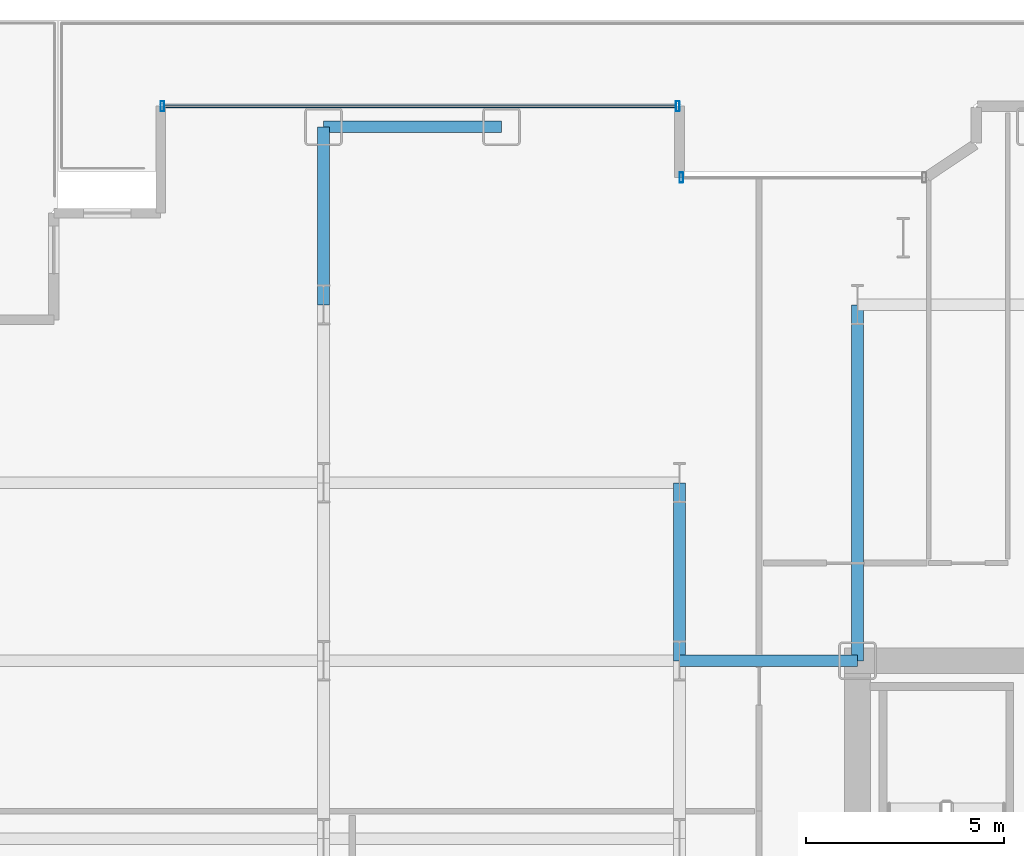
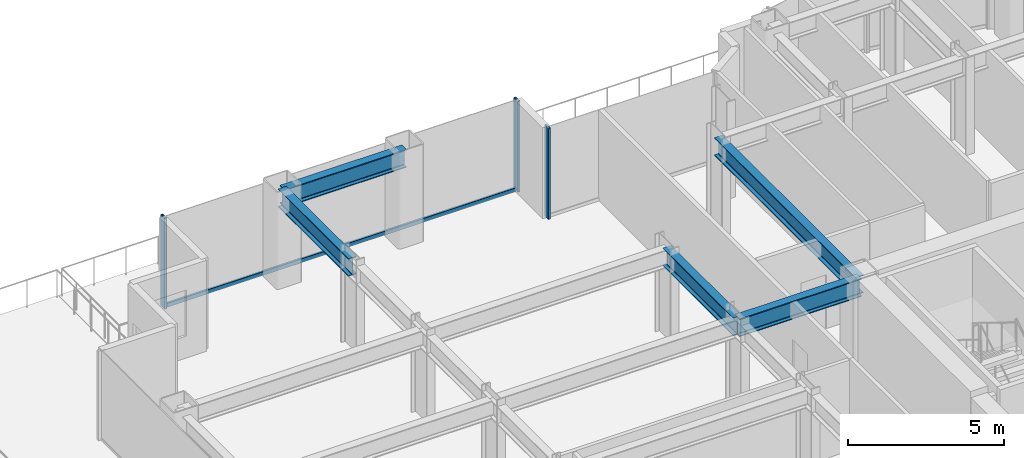
# One storey, part 12 of 30: 5 beams, 4 members, 2 elements without a shape of their own.
"""IFC4 building model written with IfcOpenShell, lengths in metres."""

from ifc_helpers import new_model, si_unit, direction, frame, origin, origin_2d, place, context, subcontext, project, spatial, hollow_rectangle, i_section, extrude, source, transform, mapped, material, layer, layer_set, material_profile, profile_set, type_object, element, aggregate, save


model = new_model("IFC4")

# Units and contexts
model_context = context("Model", 3, precision=1e-05, world=origin(), true_north=direction((0.0, 1.0)))
body_context = subcontext(model_context, "Body", "Model", "MODEL_VIEW")
ifc_project = project(units=[si_unit("LENGTHUNIT", "METRE"), si_unit("AREAUNIT", "SQUARE_METRE"), si_unit("VOLUMEUNIT", "CUBIC_METRE"), si_unit("PLANEANGLEUNIT", "RADIAN"), si_unit("MASSUNIT", "GRAM", prefix="KILO")], contexts=[model_context])

# Site, building, storey
site_placement = place(None, origin())
site = spatial("IfcSite", under=ifc_project, at=site_placement, CompositionType="ELEMENT")
building_placement = place(site_placement, origin())
building = spatial("IfcBuilding", under=site, at=building_placement, Name="Nefas-Gora Pilgrimage Tower", CompositionType="ELEMENT")
storey_placement = place(building_placement, frame((0.0, 0.0, 33.0)))
storey = spatial("IfcBuildingStorey", under=building, at=storey_placement, Name="L06", CompositionType="ELEMENT", Elevation=33.0)

# Beams
ifc_material_1 = material(Name="Steel S355", Category="steel")
ifc_material_profile_1 = material_profile(ifc_material_1, i_section(OverallWidth=0.300048828125, OverallDepth=0.699951171875, WebThickness=0.01708984375, FlangeThickness=0.031982421875, FilletRadius=0.027099609375, at=origin_2d()), Name="HEB 700")
ifc_profile_set_1 = profile_set([ifc_material_profile_1], Name="Steel S355")
beam_type_1 = type_object("IfcBeamType", Name="BM-SPN-HEB600", PredefinedType="SPANDREL", material=ifc_profile_set_1)
shared_shape_1 = source(origin(), body_context, "Body", "SweptSolid", [
    extrude(i_section(OverallWidth=0.300048828125, OverallDepth=0.699951171875, WebThickness=0.01708984375, FlangeThickness=0.031982421875, FilletRadius=0.027099609375, at=origin_2d()), origin(), (0.0, 0.0, 1.0), 4.5),
])
beam_1_placement = place(storey_placement, frame((-24.75, 22.5, 3.199951171875), z_axis=(1.0, 0.0, 0.0), x_axis=(0.0, 1.0, 0.0)))
element("IfcBeam", 1, at=beam_1_placement, inside=storey, type_object=beam_type_1, Name="L06 SP-01 beam", PredefinedType="SPANDREL", context=body_context, shape_type="MappedRepresentation", body=[
    mapped(shared_shape_1, transform((0.0, 0.0, 0.0), x_axis=(1.0, 0.0, 0.0), y_axis=(0.0, 1.0, 0.0), z_axis=(0.0, 0.0, 1.0), scale=1.0)),
])
ifc_material_profile_2 = material_profile(ifc_material_1, i_section(OverallWidth=0.300048828125, OverallDepth=0.699951171875, WebThickness=0.01708984375, FlangeThickness=0.031982421875, FilletRadius=0.027099609375, at=origin_2d()), Name="HEB 700")
ifc_profile_set_2 = profile_set([ifc_material_profile_2], Name="Steel S355")
beam_type_2 = type_object("IfcBeamType", Name="BM-GIR-HEB700", PredefinedType="BEAM", material=ifc_profile_set_2)
shared_shape_2 = source(origin(), body_context, "Body", "SweptSolid", [
    extrude(i_section(OverallWidth=0.300048828125, OverallDepth=0.699951171875, WebThickness=0.01708984375, FlangeThickness=0.031982421875, FilletRadius=0.027099609375, at=origin_2d()), origin(), (0.0, 0.0, 1.0), 9.0),
])
beam_2_placement = place(storey_placement, frame((-11.25, 9.0, 3.199951171875), z_axis=(0.0, 1.0, 0.0), x_axis=(-1.0, 0.0, 0.0)))
element("IfcBeam", 2, at=beam_2_placement, inside=storey, type_object=beam_type_2, Name="L06 G-02 beam", PredefinedType="BEAM", context=body_context, shape_type="MappedRepresentation", body=[
    mapped(shared_shape_2, transform((0.0, 0.0, 0.0), x_axis=(1.0, 0.0, 0.0), y_axis=(0.0, 1.0, 0.0), z_axis=(0.0, 0.0, 1.0), scale=1.0)),
])
shared_shape_3 = source(origin(), body_context, "Body", "SweptSolid", [
    extrude(i_section(OverallWidth=0.300048828125, OverallDepth=0.699951171875, WebThickness=0.01708984375, FlangeThickness=0.031982421875, FilletRadius=0.027099609375, at=origin_2d()), origin(), (0.0, 0.0, 1.0), 4.5),
])
for number, where, z_axis, x_axis, name in (
    (3, (-24.75, 18.0, 3.199951171875), (0.0, 1.0, 0.0), (-1.0, 0.0, 0.0), "L06 G-02 beam"),
    (4, (-15.75, 9.0, 3.199951171875), (0.0, 1.0, 0.0), (-1.0, 0.0, 0.0), "L06 G-02 beam"),
    (5, (-15.75, 9.0, 3.199951171875), (1.0, 0.0, 0.0), (0.0, 1.0, 0.0), "L06 G-02 beam"),
):
    element("IfcBeam", number, at=place(storey_placement, frame(where, z_axis=z_axis, x_axis=x_axis)), inside=storey, type_object=beam_type_2, Name=name, PredefinedType="BEAM", context=body_context, shape_type="MappedRepresentation", body=[
        mapped(shared_shape_3, transform((0.0, 0.0, 0.0), x_axis=(1.0, 0.0, 0.0), y_axis=(0.0, 1.0, 0.0), z_axis=(0.0, 0.0, 1.0), scale=1.0)),
    ])

# Curtain wall, member
ifc_material_2 = material(Name="Dark ceramic-fritted solar-control aluminium-glass curtain wall", Category="aluminium")
ifc_layer_1 = layer(ifc_material_2, 0.219970703125)
ifc_layer_set_1 = layer_set([ifc_layer_1], Name="Dark ceramic-fritted solar-control aluminium-glass curtain wall")
curtain_wall_type_1 = type_object("IfcCurtainWallType", Name="CW-SYS-5", PredefinedType="NOTDEFINED", material=ifc_layer_set_1)
curtain_wall_1_placement = place(storey_placement, origin())
curtain_wall_1 = element("IfcCurtainWall", 6, at=curtain_wall_1_placement, inside=storey, type_object=curtain_wall_type_1, Name="L06 Unitised Curtain Wall CW5", PredefinedType="NOTDEFINED")
ifc_material_3 = material(Name="Anodised architectural aluminium", Category="aluminium")
ifc_material_profile_3 = material_profile(ifc_material_3, hollow_rectangle(XDim=0.090087890625, YDim=0.260009765625, WallThickness=0.006103515625, InnerFilletRadius=0.006103515625, OuterFilletRadius=0.011962890625, at=origin_2d()), Name="ALU MULLION 90x260")
ifc_profile_set_3 = profile_set([ifc_material_profile_3], Name="Anodised architectural aluminium")
member_type_1 = type_object("IfcMemberType", Name="CWM-MUL-5", PredefinedType="MULLION", material=ifc_profile_set_3)
shared_shape_4 = source(origin(), body_context, "Body", "SweptSolid", [
    extrude(hollow_rectangle(XDim=0.090087890625, YDim=0.260009765625, WallThickness=0.006103515625, InnerFilletRadius=0.006103515625, OuterFilletRadius=0.011962890625, at=origin_2d()), origin(), (0.0, 0.0, 1.0), 3.550048828125),
])
member_1_placement = place(storey_placement, frame((-15.705078125, 21.219970703125, 0.0), z_axis=(0.0, 0.0, 1.0), x_axis=(-1.0, 0.0, 0.0)))
member_1 = element("IfcMember", 7, at=member_1_placement, type_object=member_type_1, Name="CW5 Mullion 2", PredefinedType="MULLION", context=body_context, shape_type="MappedRepresentation", body=[
    mapped(shared_shape_4, transform((0.0, 0.0, 0.0), x_axis=(1.0, 0.0, 0.0), y_axis=(0.0, 1.0, 0.0), z_axis=(0.0, 0.0, 1.0), scale=1.0)),
])
aggregate(curtain_wall_1, [member_1])

# Curtain wall, members
ifc_layer_2 = layer(ifc_material_2, 0.219970703125)
ifc_layer_set_2 = layer_set([ifc_layer_2], Name="Dark ceramic-fritted solar-control aluminium-glass curtain wall")
curtain_wall_type_2 = type_object("IfcCurtainWallType", Name="CW-SYS-2", PredefinedType="NOTDEFINED", material=ifc_layer_set_2)
curtain_wall_2_placement = place(storey_placement, origin())
curtain_wall_2 = element("IfcCurtainWall", 8, at=curtain_wall_2_placement, inside=storey, type_object=curtain_wall_type_2, Name="L06 Unitised Curtain Wall CW2", PredefinedType="NOTDEFINED")
ifc_material_profile_4 = material_profile(ifc_material_3, hollow_rectangle(XDim=0.090087890625, YDim=0.260009765625, WallThickness=0.006103515625, InnerFilletRadius=0.006103515625, OuterFilletRadius=0.011962890625, at=origin_2d()), Name="ALU MULLION 90x260")
ifc_profile_set_4 = profile_set([ifc_material_profile_4], Name="Anodised architectural aluminium")
member_type_2 = type_object("IfcMemberType", Name="CWM-MUL-2", PredefinedType="MULLION", material=ifc_profile_set_4)
shared_shape_5 = source(origin(), body_context, "Body", "SweptSolid", [
    extrude(hollow_rectangle(XDim=0.090087890625, YDim=0.260009765625, WallThickness=0.006103515625, InnerFilletRadius=0.006103515625, OuterFilletRadius=0.011962890625, at=origin_2d()), origin(), (0.0, 0.0, 1.0), 3.550048828125),
])
member_2_placement = place(storey_placement, frame((-15.794921875, 23.02001953125, 0.0), z_axis=(0.0, 0.0, 1.0), x_axis=(-1.0, 0.0, 0.0)))
member_2 = element("IfcMember", 9, at=member_2_placement, type_object=member_type_2, Name="CW2 Mullion 1", PredefinedType="MULLION", context=body_context, shape_type="MappedRepresentation", body=[
    mapped(shared_shape_5, transform((0.0, 0.0, 0.0), x_axis=(1.0, 0.0, 0.0), y_axis=(0.0, 1.0, 0.0), z_axis=(0.0, 0.0, 1.0), scale=1.0)),
])
member_3_placement = place(storey_placement, frame((-28.824951171875, 23.02001953125, 0.0), z_axis=(0.0, 0.0, 1.0), x_axis=(-1.0, 0.0, 0.0)))
member_3 = element("IfcMember", 10, at=member_3_placement, type_object=member_type_2, Name="CW2 Mullion 2", PredefinedType="MULLION", context=body_context, shape_type="MappedRepresentation", body=[
    mapped(shared_shape_5, transform((0.0, 0.0, 0.0), x_axis=(1.0, 0.0, 0.0), y_axis=(0.0, 1.0, 0.0), z_axis=(0.0, 0.0, 1.0), scale=1.0)),
])
ifc_material_profile_5 = material_profile(ifc_material_3, hollow_rectangle(XDim=0.080078125, YDim=0.159912109375, WallThickness=0.00439453125, InnerFilletRadius=0.00439453125, OuterFilletRadius=0.009033203125, at=origin_2d()), Name="ALU TRANSOM 80x160")
ifc_profile_set_5 = profile_set([ifc_material_profile_5], Name="Anodised architectural aluminium")
member_type_3 = type_object("IfcMemberType", Name="CWM-TRN-2", PredefinedType="USERDEFINED", material=ifc_profile_set_5)
shared_shape_6 = source(origin(), body_context, "Body", "SweptSolid", [
    extrude(hollow_rectangle(XDim=0.080078125, YDim=0.159912109375, WallThickness=0.00439453125, InnerFilletRadius=0.00439453125, OuterFilletRadius=0.009033203125, at=origin_2d()), origin(), (0.0, 0.0, 1.0), 12.93994140625),
])
member_4_placement = place(storey_placement, frame((-15.840087890625, 23.02001953125, 0.050048828125), z_axis=(-1.0, 0.0, 0.0), x_axis=(0.0, -1.0, 0.0)))
member_4 = element("IfcMember", 11, at=member_4_placement, type_object=member_type_3, Name="CW2 Spandrel Transom", ObjectType="TRANSOM", PredefinedType="USERDEFINED", context=body_context, shape_type="MappedRepresentation", body=[
    mapped(shared_shape_6, transform((0.0, 0.0, 0.0), x_axis=(1.0, 0.0, 0.0), y_axis=(0.0, 1.0, 0.0), z_axis=(0.0, 0.0, 1.0), scale=1.0)),
])
aggregate(curtain_wall_2, [member_2, member_3, member_4])

save(model, "model.ifc")
